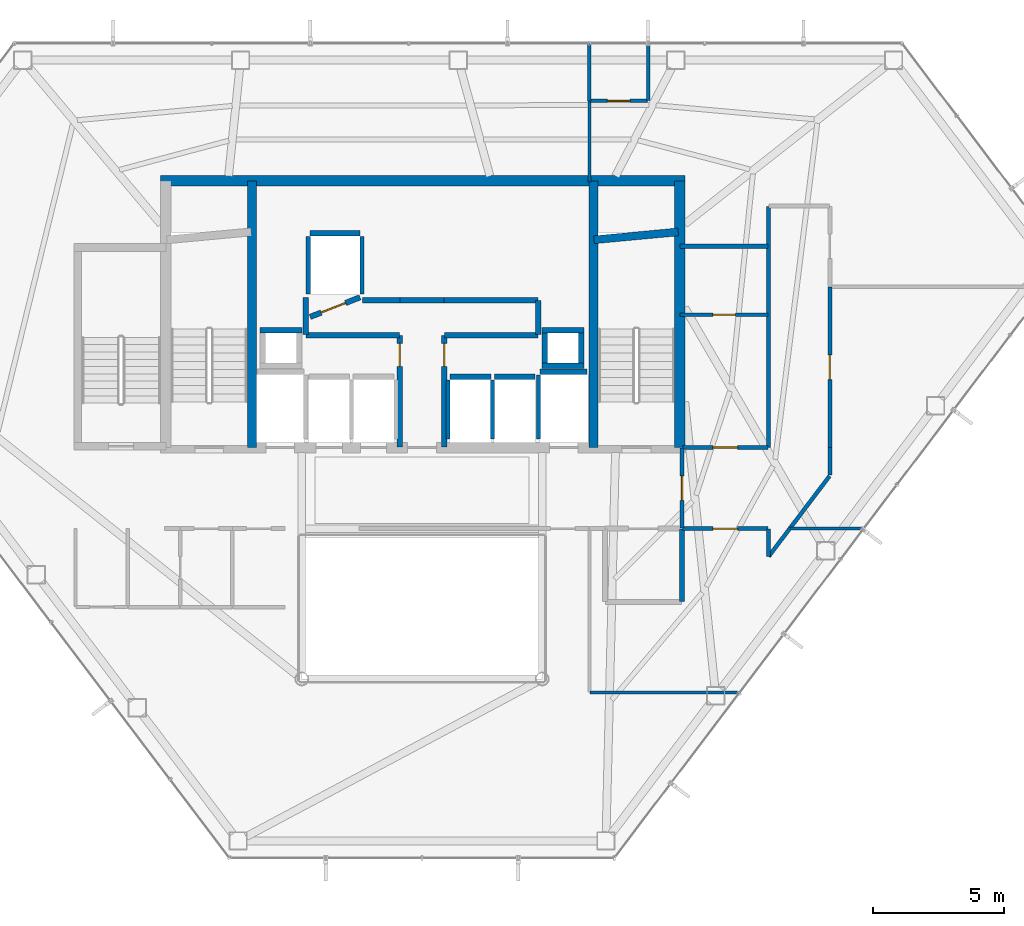
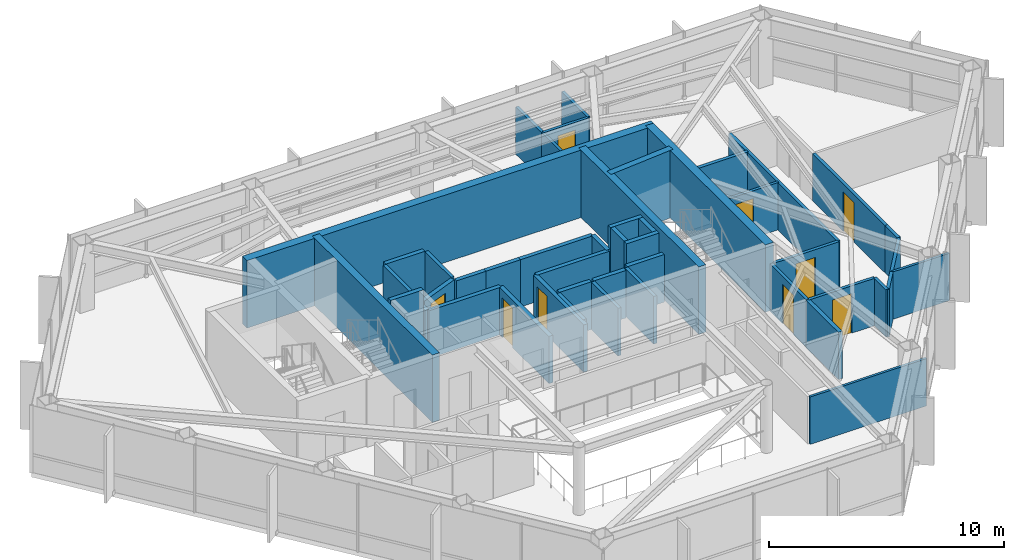
# One storey, part 25 of 27: 47 walls, 9 doors, 9 openings.
"""IFC4 building model written with IfcOpenShell, lengths in metres."""

from ifc_helpers import new_model, si_unit, direction, frame, frame_2d, origin, place, context, subcontext, project, spatial, rectangle, extrude, material, layer, layer_set, type_object, element, fill, save


model = new_model("IFC4")

# Units and contexts
model_context = context("Model", 3, precision=1e-05, world=origin(), true_north=direction((0.0, 1.0)))
body_context = subcontext(model_context, "Body", "Model", "MODEL_VIEW")
ifc_project = project(units=[si_unit("LENGTHUNIT", "METRE"), si_unit("AREAUNIT", "SQUARE_METRE"), si_unit("VOLUMEUNIT", "CUBIC_METRE"), si_unit("PLANEANGLEUNIT", "RADIAN"), si_unit("MASSUNIT", "GRAM", prefix="KILO")], contexts=[model_context])

# Site, building, storey
site_placement = place(None, origin())
site = spatial("IfcSite", under=ifc_project, at=site_placement, CompositionType="ELEMENT")
building_placement = place(site_placement, origin())
building = spatial("IfcBuilding", under=site, at=building_placement, Name="Zarrinselat Tower", CompositionType="ELEMENT")
storey_placement = place(building_placement, frame((0.0, 0.0, 179.52001953125)))
storey = spatial("IfcBuildingStorey", under=building, at=storey_placement, Name="L44", CompositionType="ELEMENT", Elevation=179.52001953125)

# Walls
ifc_material_1 = material(Name="Fire-Rated Gypsum Board Partition", Category="gypsum")
ifc_layer_1 = layer(ifc_material_1, 0.1650390625)
ifc_layer_set_1 = layer_set([ifc_layer_1], Name="Fire-Rated Gypsum Board Partition")
wall_type_1 = type_object("IfcWallType", Name="WAL-PART-DEMISE", PredefinedType="PARTITIONING", material=ifc_layer_set_1)
wall_1_placement = place(storey_placement, frame((48.27490234375, 40.9560546875, 0.0), z_axis=(0.0, 0.0, 1.0), x_axis=(1.0, 0.0, 0.0)))
element("IfcWall", 1, at=wall_1_placement, inside=storey, type_object=wall_type_1, Name="L44 Partition Wall 46", PredefinedType="PARTITIONING", context=body_context, shape_type="SweptSolid", body=[
    extrude(rectangle(XDim=3.360107421875, YDim=0.1650390625, at=frame_2d((1.68017578125, 0.0))), origin(), (0.0, 0.0, 1.0), 2.45703125),
])
ifc_material_2 = material(Name="Concrete C40/50", Category="concrete")
ifc_layer_2 = layer(ifc_material_2, 0.18994140625)
ifc_layer_set_2 = layer_set([ifc_layer_2], Name="Concrete C40/50")
wall_type_2 = type_object("IfcWallType", Name="WAL-PART-EI120", PredefinedType="PARTITIONING", material=ifc_layer_set_2)
wall_2_placement = place(storey_placement, frame((48.35009765625, 27.3701171875, 0.0), z_axis=(0.0, 0.0, 1.0), x_axis=(0.0, 1.0, 0.0)))
element("IfcWall", 2, at=wall_2_placement, inside=storey, type_object=wall_type_2, Name="L44 Partition Wall 19", PredefinedType="PARTITIONING", context=body_context, shape_type="SweptSolid", body=[
    extrude(rectangle(XDim=2.759765625, YDim=0.18994140625, at=frame_2d((1.3798828125, 0.0))), origin(), (0.0, 0.0, 1.0), 2.45703125),
])

# Wall, opening, door
ifc_material_3 = material(Name="Fire-Rated Gypsum Board Partition", Category="gypsum")
ifc_layer_3 = layer(ifc_material_3, 0.14990234375)
ifc_layer_set_3 = layer_set([ifc_layer_3], Name="Fire-Rated Gypsum Board Partition")
wall_type_3 = type_object("IfcWallType", Name="WAL-PART-EI60", PredefinedType="PARTITIONING", material=ifc_layer_set_3)
wall_3_placement = place(storey_placement, frame((48.35009765625, 30.169921875, 0.0), z_axis=(0.0, 0.0, 1.0), x_axis=(0.0, 1.0, 0.0)))
wall_3 = element("IfcWall", 3, at=wall_3_placement, inside=storey, type_object=wall_type_3, Name="L44 Partition Wall 11", PredefinedType="PARTITIONING", context=body_context, shape_type="SweptSolid", body=[
    extrude(rectangle(XDim=3.06005859375, YDim=0.14990234375, at=frame_2d((1.530029296875, 0.0))), origin(), (0.0, 0.0, 1.0), 2.45703125),
])
opening_1_placement = place(wall_3_placement, frame((1.06005859375, 0.0, 0.0)))
opening_1 = element("IfcOpeningElement", 4, at=opening_1_placement, cuts=wall_3, Name="Opening ID-04", PredefinedType="OPENING", context=body_context, shape_type="SweptSolid", body=[
    extrude(rectangle(XDim=0.93994140625, YDim=2.050048828125, at=frame_2d((0.469970703125, 1.02490234375))), frame((0.0, 0.0849609375, 0.0), z_axis=(0.0, -1.0, 0.0), x_axis=(1.0, 0.0, 0.0)), (0.0, 0.0, 1.0), 0.169921875),
])
ifc_material_4 = material(Name="Fire-Rated Gypsum Board Partition")
door_type_1 = type_object("IfcDoorType", Name="DR-INT-FD30-ENT", OperationType="NOTDEFINED", PredefinedType="DOOR", material=ifc_material_4)
door_1_placement = place(opening_1_placement, origin())
door_1 = element("IfcDoor", 5, at=door_1_placement, inside=storey, type_object=door_type_1, Name="L44 Interior Door P11", OperationType="SINGLE_SWING_LEFT", OverallHeight=2.050048828125, OverallWidth=0.93994140625, PredefinedType="DOOR", context=body_context, shape_type="SweptSolid", body=[
    extrude(rectangle(XDim=0.93994140625, YDim=2.050048828125, at=frame_2d((0.469970703125, 1.02490234375))), frame((0.0, 0.02490234375, 0.0), z_axis=(0.0, -1.0, 0.0), x_axis=(1.0, 0.0, 0.0)), (0.0, 0.0, 1.0), 0.050048828125),
])
fill(opening_1, door_1)

# Walls
wall_4_placement = place(storey_placement, frame((51.662109375, 29.0908203125, 0.0), z_axis=(0.0, 0.0, 1.0), x_axis=(0.603847067363, 0.797100193976, 0.0)))
element("IfcWall", 6, at=wall_4_placement, inside=storey, type_object=wall_type_3, Name="L44 Partition Wall 20", PredefinedType="PARTITIONING", context=body_context, shape_type="SweptSolid", body=[
    extrude(rectangle(XDim=1.32763671875, YDim=0.14990234375, at=frame_2d((0.663818359375, 0.0))), origin(), (0.0, 0.0, 1.0), 2.45703125),
])
wall_5_placement = place(storey_placement, frame((51.64990234375, 29.0947265625, 0.0), z_axis=(0.0, 0.0, 1.0), x_axis=(0.0, 1.0, 0.0)))
element("IfcWall", 7, at=wall_5_placement, inside=storey, type_object=wall_type_3, Name="L44 Partition Wall 21", PredefinedType="PARTITIONING", context=body_context, shape_type="SweptSolid", body=[
    extrude(rectangle(XDim=1.03515625, YDim=0.14990234375, at=frame_2d((0.517578125, 0.0))), origin(), (0.0, 0.0, 1.0), 2.45703125),
])

# Wall, opening, door
wall_6_placement = place(storey_placement, frame((48.3701171875, 30.14990234375, 0.0), z_axis=(0.0, 0.0, 1.0), x_axis=(1.0, 0.0, 0.0)))
wall_6 = element("IfcWall", 8, at=wall_6_placement, inside=storey, type_object=wall_type_3, Name="L44 Partition Wall 22", PredefinedType="PARTITIONING", context=body_context, shape_type="SweptSolid", body=[
    extrude(rectangle(XDim=3.259765625, YDim=0.14990234375, at=frame_2d((1.6298828125, 0.0))), origin(), (0.0, 0.0, 1.0), 2.45703125),
])
opening_2_placement = place(wall_6_placement, frame((1.159912109375, 0.0, 0.0)))
opening_2 = element("IfcOpeningElement", 9, at=opening_2_placement, cuts=wall_6, Name="Opening ID-04", PredefinedType="OPENING", context=body_context, shape_type="SweptSolid", body=[
    extrude(rectangle(XDim=0.93994140625, YDim=2.050048828125, at=frame_2d((0.469970703125, 1.02490234375))), frame((0.0, 0.0849609375, 0.0), z_axis=(0.0, -1.0, 0.0), x_axis=(1.0, 0.0, 0.0)), (0.0, 0.0, 1.0), 0.169921875),
])
door_2_placement = place(opening_2_placement, origin())
door_2 = element("IfcDoor", 10, at=door_2_placement, inside=storey, type_object=door_type_1, Name="L44 Interior Door P22", OperationType="SINGLE_SWING_LEFT", OverallHeight=2.050048828125, OverallWidth=0.93994140625, PredefinedType="DOOR", context=body_context, shape_type="SweptSolid", body=[
    extrude(rectangle(XDim=0.93994140625, YDim=2.050048828125, at=frame_2d((0.469970703125, 1.02490234375))), frame((0.0, 0.02490234375, 0.0), z_axis=(0.0, -1.0, 0.0), x_axis=(1.0, 0.0, 0.0)), (0.0, 0.0, 1.0), 0.050048828125),
])
fill(opening_2, door_2)

wall_7_placement = place(storey_placement, frame((54.0, 33.25, 0.0), z_axis=(0.0, 0.0, 1.0), x_axis=(0.0, 1.0, 0.0)))
wall_7 = element("IfcWall", 11, at=wall_7_placement, inside=storey, type_object=wall_type_3, Name="L44 Partition Wall 23", PredefinedType="PARTITIONING", context=body_context, shape_type="SweptSolid", body=[
    extrude(rectangle(XDim=6.151123046875, YDim=0.14990234375, at=frame_2d((3.07568359375, 0.0))), origin(), (0.0, 0.0, 1.0), 2.45703125),
])
opening_3_placement = place(wall_7_placement, frame((2.605712890625, 0.0, 0.0)))
opening_3 = element("IfcOpeningElement", 12, at=opening_3_placement, cuts=wall_7, Name="Opening ID-04", PredefinedType="OPENING", context=body_context, shape_type="SweptSolid", body=[
    extrude(rectangle(XDim=0.93994140625, YDim=2.050048828125, at=frame_2d((0.469970703125, 1.02490234375))), frame((0.0, 0.0849609375, 0.0), z_axis=(0.0, -1.0, 0.0), x_axis=(1.0, 0.0, 0.0)), (0.0, 0.0, 1.0), 0.169921875),
])
door_3_placement = place(opening_3_placement, origin())
door_3 = element("IfcDoor", 13, at=door_3_placement, inside=storey, type_object=door_type_1, Name="L44 Interior Door P23", OperationType="SINGLE_SWING_RIGHT", OverallHeight=2.050048828125, OverallWidth=0.93994140625, PredefinedType="DOOR", context=body_context, shape_type="SweptSolid", body=[
    extrude(rectangle(XDim=0.93994140625, YDim=2.050048828125, at=frame_2d((0.469970703125, 1.02490234375))), frame((0.0, 0.02490234375, 0.0), z_axis=(0.0, -1.0, 0.0), x_axis=(1.0, 0.0, 0.0)), (0.0, 0.0, 1.0), 0.050048828125),
])
fill(opening_3, door_3)

# Walls
wall_8_placement = place(storey_placement, frame((54.0, 32.19677734375, 0.0), z_axis=(0.0, 0.0, 1.0), x_axis=(0.0, 1.0, 0.0)))
element("IfcWall", 14, at=wall_8_placement, inside=storey, type_object=wall_type_3, Name="L44 Partition Wall 24", PredefinedType="PARTITIONING", context=body_context, shape_type="SweptSolid", body=[
    extrude(rectangle(XDim=1.05322265625, YDim=0.14990234375, at=frame_2d((0.526611328125, 0.0))), origin(), (0.0, 0.0, 1.0), 2.45703125),
])
wall_9_placement = place(storey_placement, frame((52.467529296875, 30.154052734375, 0.0), z_axis=(0.0, 0.0, 1.0), x_axis=(0.603840884766, 0.797104877594, 0.0)))
element("IfcWall", 15, at=wall_9_placement, inside=storey, type_object=wall_type_3, Name="L44 Partition Wall 25", PredefinedType="PARTITIONING", context=body_context, shape_type="SweptSolid", body=[
    extrude(rectangle(XDim=2.517578125, YDim=0.14990234375, at=frame_2d((1.2587890625, 0.0))), origin(), (0.0, 0.0, 1.0), 2.45703125),
])
wall_10_placement = place(storey_placement, frame((51.64990234375, 33.25, 0.0), z_axis=(0.0, 0.0, 1.0), x_axis=(0.0, 1.0, 0.0)))
element("IfcWall", 16, at=wall_10_placement, inside=storey, type_object=wall_type_3, Name="L44 Partition Wall 26", PredefinedType="PARTITIONING", context=body_context, shape_type="SweptSolid", body=[
    extrude(rectangle(XDim=9.22998046875, YDim=0.14990234375, at=frame_2d((4.614990234375, 0.0))), origin(), (0.0, 0.0, 1.0), 2.45703125),
])

# Wall, opening, door
wall_11_placement = place(storey_placement, frame((48.364990234375, 33.25, 0.0), z_axis=(0.0, 0.0, 1.0), x_axis=(1.0, 0.0, 0.0)))
wall_11 = element("IfcWall", 17, at=wall_11_placement, inside=storey, type_object=wall_type_3, Name="L44 Partition Wall 29", PredefinedType="PARTITIONING", context=body_context, shape_type="SweptSolid", body=[
    extrude(rectangle(XDim=3.27001953125, YDim=0.14990234375, at=frame_2d((1.635009765625, 0.0))), origin(), (0.0, 0.0, 1.0), 2.45703125),
])
opening_4_placement = place(wall_11_placement, frame((1.1650390625, 0.0, 0.0)))
opening_4 = element("IfcOpeningElement", 18, at=opening_4_placement, cuts=wall_11, Name="Opening ID-04", PredefinedType="OPENING", context=body_context, shape_type="SweptSolid", body=[
    extrude(rectangle(XDim=0.93994140625, YDim=2.050048828125, at=frame_2d((0.469970703125, 1.02490234375))), frame((0.0, 0.0849609375, 0.0), z_axis=(0.0, -1.0, 0.0), x_axis=(1.0, 0.0, 0.0)), (0.0, 0.0, 1.0), 0.169921875),
])
door_4_placement = place(opening_4_placement, origin())
door_4 = element("IfcDoor", 19, at=door_4_placement, inside=storey, type_object=door_type_1, Name="L44 Interior Door P29", OperationType="SINGLE_SWING_RIGHT", OverallHeight=2.050048828125, OverallWidth=0.93994140625, PredefinedType="DOOR", context=body_context, shape_type="SweptSolid", body=[
    extrude(rectangle(XDim=0.93994140625, YDim=2.050048828125, at=frame_2d((0.469970703125, 1.02490234375))), frame((0.0, 0.02490234375, 0.0), z_axis=(0.0, -1.0, 0.0), x_axis=(1.0, 0.0, 0.0)), (0.0, 0.0, 1.0), 0.050048828125),
])
fill(opening_4, door_4)

ifc_material_5 = material(Name="Concrete C40/50", Category="concrete")
ifc_layer_4 = layer(ifc_material_5, 0.199951171875)
ifc_layer_set_4 = layer_set([ifc_layer_4], Name="Concrete C40/50")
wall_type_4 = type_object("IfcWallType", Name="WAL-PART-PLANT", PredefinedType="PARTITIONING", material=ifc_layer_set_4)
wall_12_placement = place(storey_placement, frame((37.550048828125, 33.264892578125, 0.0), z_axis=(0.0, 0.0, 1.0), x_axis=(0.0, 1.0, 0.0)))
wall_12 = element("IfcWall", 20, at=wall_12_placement, inside=storey, type_object=wall_type_4, Name="L44 Partition Wall 1", PredefinedType="PARTITIONING", context=body_context, shape_type="SweptSolid", body=[
    extrude(rectangle(XDim=4.26513671875, YDim=0.199951171875, at=frame_2d((2.132568359375, 0.0))), origin(), (0.0, 0.0, 1.0), 2.45703125),
])
opening_5_placement = place(wall_12_placement, frame((3.092529296875, 0.0, 0.0)))
opening_5 = element("IfcOpeningElement", 21, at=opening_5_placement, cuts=wall_12, Name="Opening ID-03", PredefinedType="OPENING", context=body_context, shape_type="SweptSolid", body=[
    extrude(rectangle(XDim=0.8798828125, YDim=2.050048828125, at=frame_2d((0.43994140625, 1.02490234375))), frame((0.0, 0.10986328125, 0.0), z_axis=(0.0, -1.0, 0.0), x_axis=(1.0, 0.0, 0.0)), (0.0, 0.0, 1.0), 0.219970703125),
])
ifc_material_6 = material(Name="Steel S355J2", Category="steel")
door_type_2 = type_object("IfcDoorType", Name="DR-INT-FD60-S", OperationType="NOTDEFINED", PredefinedType="DOOR", material=ifc_material_6)
door_5_placement = place(opening_5_placement, origin())
door_5 = element("IfcDoor", 22, at=door_5_placement, inside=storey, type_object=door_type_2, Name="L44 Interior Door P1", OperationType="SINGLE_SWING_RIGHT", OverallHeight=2.050048828125, OverallWidth=0.8798828125, PredefinedType="DOOR", context=body_context, shape_type="SweptSolid", body=[
    extrude(rectangle(XDim=0.8798828125, YDim=2.050048828125, at=frame_2d((0.43994140625, 1.02490234375))), frame((0.0, 0.02490234375, 0.0), z_axis=(0.0, -1.0, 0.0), x_axis=(1.0, 0.0, 0.0)), (0.0, 0.0, 1.0), 0.050048828125),
])
fill(opening_5, door_5)

# Walls
wall_13_placement = place(storey_placement, frame((33.969970703125, 37.550048828125, 0.0), z_axis=(0.0, 0.0, 1.0), x_axis=(1.0, 0.0, 0.0)))
element("IfcWall", 23, at=wall_13_placement, inside=storey, type_object=wall_type_4, Name="L44 Partition Wall 2", PredefinedType="PARTITIONING", context=body_context, shape_type="SweptSolid", body=[
    extrude(rectangle(XDim=3.56005859375, YDim=0.199951171875, at=frame_2d((1.780029296875, 0.0))), origin(), (0.0, 0.0, 1.0), 2.45703125),
])
wall_14_placement = place(storey_placement, frame((33.949951171875, 37.570068359375, 0.0), z_axis=(0.0, 0.0, 1.0), x_axis=(0.0, 1.0, 0.0)))
element("IfcWall", 24, at=wall_14_placement, inside=storey, type_object=wall_type_4, Name="L44 Partition Wall 3", PredefinedType="PARTITIONING", context=body_context, shape_type="SweptSolid", body=[
    extrude(rectangle(XDim=1.4150390625, YDim=0.199951171875, at=frame_2d((0.70751953125, 0.0))), origin(), (0.0, 0.0, 1.0), 2.45703125),
])
wall_15_placement = place(storey_placement, frame((36.114990234375, 38.889892578125, 0.0), z_axis=(0.0, 0.0, 1.0), x_axis=(1.0, 0.0, 0.0)))
element("IfcWall", 25, at=wall_15_placement, inside=storey, type_object=wall_type_4, Name="L44 Partition Wall 4", PredefinedType="PARTITIONING", context=body_context, shape_type="SweptSolid", body=[
    extrude(rectangle(XDim=1.43505859375, YDim=0.199951171875, at=frame_2d((0.717529296875, 0.0))), origin(), (0.0, 0.0, 1.0), 2.45703125),
])
wall_16_placement = place(storey_placement, frame((37.550048828125, 38.889892578125, 0.0), z_axis=(0.0, 0.0, 1.0), x_axis=(1.0, 0.0, 0.0)))
element("IfcWall", 26, at=wall_16_placement, inside=storey, type_object=wall_type_4, Name="L44 Partition Wall 5", PredefinedType="PARTITIONING", context=body_context, shape_type="SweptSolid", body=[
    extrude(rectangle(XDim=1.699951171875, YDim=0.199951171875, at=frame_2d((0.85009765625, 0.0))), origin(), (0.0, 0.0, 1.0), 2.45703125),
])
wall_17_placement = place(storey_placement, frame((39.25, 38.889892578125, 0.0), z_axis=(0.0, 0.0, 1.0), x_axis=(1.0, 0.0, 0.0)))
element("IfcWall", 27, at=wall_17_placement, inside=storey, type_object=wall_type_4, Name="L44 Partition Wall 6", PredefinedType="PARTITIONING", context=body_context, shape_type="SweptSolid", body=[
    extrude(rectangle(XDim=3.580078125, YDim=0.199951171875, at=frame_2d((1.7900390625, 0.0))), origin(), (0.0, 0.0, 1.0), 2.45703125),
])
wall_18_placement = place(storey_placement, frame((42.85009765625, 37.570068359375, 0.0), z_axis=(0.0, 0.0, 1.0), x_axis=(0.0, 1.0, 0.0)))
element("IfcWall", 28, at=wall_18_placement, inside=storey, type_object=wall_type_4, Name="L44 Partition Wall 7", PredefinedType="PARTITIONING", context=body_context, shape_type="SweptSolid", body=[
    extrude(rectangle(XDim=1.300048828125, YDim=0.199951171875, at=frame_2d((0.64990234375, 0.0))), origin(), (0.0, 0.0, 1.0), 2.45703125),
])
wall_19_placement = place(storey_placement, frame((39.27001953125, 37.550048828125, 0.0), z_axis=(0.0, 0.0, 1.0), x_axis=(1.0, 0.0, 0.0)))
element("IfcWall", 29, at=wall_19_placement, inside=storey, type_object=wall_type_4, Name="L44 Partition Wall 8", PredefinedType="PARTITIONING", context=body_context, shape_type="SweptSolid", body=[
    extrude(rectangle(XDim=3.56005859375, YDim=0.199951171875, at=frame_2d((1.780029296875, 0.0))), origin(), (0.0, 0.0, 1.0), 2.45703125),
])

# Wall, opening, door
wall_20_placement = place(storey_placement, frame((39.25, 33.264892578125, 0.0), z_axis=(0.0, 0.0, 1.0), x_axis=(0.0, 1.0, 0.0)))
wall_20 = element("IfcWall", 30, at=wall_20_placement, inside=storey, type_object=wall_type_4, Name="L44 Partition Wall 9", PredefinedType="PARTITIONING", context=body_context, shape_type="SweptSolid", body=[
    extrude(rectangle(XDim=4.26513671875, YDim=0.199951171875, at=frame_2d((2.132568359375, 0.0))), origin(), (0.0, 0.0, 1.0), 2.45703125),
])
opening_6_placement = place(wall_20_placement, frame((3.092529296875, 0.0, 0.0)))
opening_6 = element("IfcOpeningElement", 31, at=opening_6_placement, cuts=wall_20, Name="Opening ID-03", PredefinedType="OPENING", context=body_context, shape_type="SweptSolid", body=[
    extrude(rectangle(XDim=0.8798828125, YDim=2.050048828125, at=frame_2d((0.43994140625, 1.02490234375))), frame((0.0, 0.10986328125, 0.0), z_axis=(0.0, -1.0, 0.0), x_axis=(1.0, 0.0, 0.0)), (0.0, 0.0, 1.0), 0.219970703125),
])
door_6_placement = place(opening_6_placement, origin())
door_6 = element("IfcDoor", 32, at=door_6_placement, inside=storey, type_object=door_type_2, Name="L44 Interior Door P9", OperationType="SINGLE_SWING_LEFT", OverallHeight=2.050048828125, OverallWidth=0.8798828125, PredefinedType="DOOR", context=body_context, shape_type="SweptSolid", body=[
    extrude(rectangle(XDim=0.8798828125, YDim=2.050048828125, at=frame_2d((0.43994140625, 1.02490234375))), frame((0.0, 0.02490234375, 0.0), z_axis=(0.0, -1.0, 0.0), x_axis=(1.0, 0.0, 0.0)), (0.0, 0.0, 1.0), 0.050048828125),
])
fill(opening_6, door_6)

# Walls
ifc_material_7 = material(Name="Fire-Rated Gypsum Board Partition", Category="gypsum")
ifc_layer_5 = layer(ifc_material_7, 0.1201171875)
ifc_layer_set_5 = layer_set([ifc_layer_5], Name="Fire-Rated Gypsum Board Partition")
wall_type_5 = type_object("IfcWallType", Name="WAL-PART-STD", PredefinedType="PARTITIONING", material=ifc_layer_set_5)
wall_21_placement = place(storey_placement, frame((44.820068359375, 23.882568359375, 0.0), z_axis=(0.0, 0.0, 1.0), x_axis=(1.0, 0.0, 0.0)))
element("IfcWall", 33, at=wall_21_placement, inside=storey, type_object=wall_type_5, Name="L44 Partition Wall 39", PredefinedType="PARTITIONING", context=body_context, shape_type="SweptSolid", body=[
    extrude(rectangle(XDim=5.716796875, YDim=0.1201171875, at=frame_2d((2.8583984375, 0.0))), origin(), (0.0, 0.0, 1.0), 2.45703125),
])
wall_22_placement = place(storey_placement, frame((44.800048828125, 43.4150390625, 0.0), z_axis=(0.0, 0.0, 1.0), x_axis=(0.0, 1.0, 0.0)))
element("IfcWall", 34, at=wall_22_placement, inside=storey, type_object=wall_type_5, Name="L44 Partition Wall 40", PredefinedType="PARTITIONING", context=body_context, shape_type="SweptSolid", body=[
    extrude(rectangle(XDim=3.092041015625, YDim=0.1201171875, at=frame_2d((1.5458984375, 0.0))), origin(), (0.0, 0.0, 1.0), 2.45703125),
])
wall_23_placement = place(storey_placement, frame((52.484619140625, 30.14990234375, 0.0), z_axis=(0.0, 0.0, 1.0), x_axis=(1.0, 0.0, 0.0)))
element("IfcWall", 35, at=wall_23_placement, inside=storey, type_object=wall_type_5, Name="L44 Partition Wall 42", PredefinedType="PARTITIONING", context=body_context, shape_type="SweptSolid", body=[
    extrude(rectangle(XDim=2.80029296875, YDim=0.1201171875, at=frame_2d((1.400146484375, 0.0))), origin(), (0.0, 0.0, 1.0), 2.45703125),
])
ifc_material_8 = material(Name="Fire-Rated Gypsum Board Partition", Category="gypsum")
ifc_layer_6 = layer(ifc_material_8, 0.135009765625)
ifc_layer_set_6 = layer_set([ifc_layer_6], Name="Fire-Rated Gypsum Board Partition")
wall_type_6 = type_object("IfcWallType", Name="WAL-PART-WET", PredefinedType="PARTITIONING", material=ifc_layer_set_6)
wall_24_placement = place(storey_placement, frame((44.800048828125, 46.51708984375, 0.0), z_axis=(0.0, 0.0, 1.0), x_axis=(0.0, 1.0, 0.0)))
element("IfcWall", 36, at=wall_24_placement, inside=storey, type_object=wall_type_6, Name="L44 Partition Wall 41", PredefinedType="PARTITIONING", context=body_context, shape_type="SweptSolid", body=[
    extrude(rectangle(XDim=2.190185546875, YDim=0.135009765625, at=frame_2d((1.09521484375, 0.0))), origin(), (0.0, 0.0, 1.0), 2.45703125),
])

# Wall, opening, door
wall_25_placement = place(storey_placement, frame((44.820068359375, 46.51220703125, 0.0), z_axis=(0.0, 0.0, 1.0), x_axis=(1.0, 0.0, 0.0)))
wall_25 = element("IfcWall", 37, at=wall_25_placement, inside=storey, type_object=wall_type_6, Name="L44 Partition Wall 44", PredefinedType="PARTITIONING", context=body_context, shape_type="SweptSolid", body=[
    extrude(rectangle(XDim=2.2099609375, YDim=0.135009765625, at=frame_2d((1.10498046875, 0.0))), origin(), (0.0, 0.0, 1.0), 2.45703125),
])
opening_7_placement = place(wall_25_placement, frame((0.675048828125, 0.0, 0.0)))
opening_7 = element("IfcOpeningElement", 38, at=opening_7_placement, cuts=wall_25, Name="Opening ID-06", PredefinedType="OPENING", context=body_context, shape_type="SweptSolid", body=[
    extrude(rectangle(XDim=0.860107421875, YDim=2.050048828125, at=frame_2d((0.43017578125, 1.02490234375))), frame((0.0, 0.077392578125, 0.0), z_axis=(0.0, -1.0, 0.0), x_axis=(1.0, 0.0, 0.0)), (0.0, 0.0, 1.0), 0.155029296875),
])
ifc_material_9 = material(Name="Extruded Aluminium Alloy EN AW-6063 T6", Category="aluminium")
door_type_3 = type_object("IfcDoorType", Name="DR-INT-WET-900", OperationType="NOTDEFINED", PredefinedType="DOOR", material=ifc_material_9)
door_7_placement = place(opening_7_placement, origin())
door_7 = element("IfcDoor", 39, at=door_7_placement, inside=storey, type_object=door_type_3, Name="L44 Interior Door P44", OperationType="SINGLE_SWING_LEFT", OverallHeight=2.050048828125, OverallWidth=0.860107421875, PredefinedType="DOOR", context=body_context, shape_type="SweptSolid", body=[
    extrude(rectangle(XDim=0.860107421875, YDim=2.050048828125, at=frame_2d((0.43017578125, 1.02490234375))), frame((0.0, 0.02490234375, 0.0), z_axis=(0.0, -1.0, 0.0), x_axis=(1.0, 0.0, 0.0)), (0.0, 0.0, 1.0), 0.050048828125),
])
fill(opening_7, door_7)

# Wall
wall_26_placement = place(storey_placement, frame((47.050048828125, 46.5322265625, 0.0), z_axis=(0.0, 0.0, 1.0), x_axis=(0.0, 1.0, 0.0)))
element("IfcWall", 40, at=wall_26_placement, inside=storey, type_object=wall_type_6, Name="L44 Partition Wall 45", PredefinedType="PARTITIONING", context=body_context, shape_type="SweptSolid", body=[
    extrude(rectangle(XDim=2.175048828125, YDim=0.135009765625, at=frame_2d((1.08740234375, 0.0))), origin(), (0.0, 0.0, 1.0), 2.45703125),
])

# Wall, opening, door
wall_27_placement = place(storey_placement, frame((48.27490234375, 38.3359375, 0.0), z_axis=(0.0, 0.0, 1.0), x_axis=(1.0, 0.0, 0.0)))
wall_27 = element("IfcWall", 41, at=wall_27_placement, inside=storey, type_object=wall_type_6, Name="L44 Partition Wall 47", PredefinedType="PARTITIONING", context=body_context, shape_type="SweptSolid", body=[
    extrude(rectangle(XDim=3.360107421875, YDim=0.135009765625, at=frame_2d((1.68017578125, 0.0))), origin(), (0.0, 0.0, 1.0), 2.45703125),
])
opening_8_placement = place(wall_27_placement, frame((1.25, 0.0, 0.0)))
opening_8 = element("IfcOpeningElement", 42, at=opening_8_placement, cuts=wall_27, Name="Opening ID-06", PredefinedType="OPENING", context=body_context, shape_type="SweptSolid", body=[
    extrude(rectangle(XDim=0.860107421875, YDim=2.050048828125, at=frame_2d((0.43017578125, 1.02490234375))), frame((0.0, 0.077392578125, 0.0), z_axis=(0.0, -1.0, 0.0), x_axis=(1.0, 0.0, 0.0)), (0.0, 0.0, 1.0), 0.155029296875),
])
door_8_placement = place(opening_8_placement, origin())
door_8 = element("IfcDoor", 43, at=door_8_placement, inside=storey, type_object=door_type_3, Name="L44 Interior Door P47", OperationType="SINGLE_SWING_RIGHT", OverallHeight=2.050048828125, OverallWidth=0.860107421875, PredefinedType="DOOR", context=body_context, shape_type="SweptSolid", body=[
    extrude(rectangle(XDim=0.860107421875, YDim=2.050048828125, at=frame_2d((0.43017578125, 1.02490234375))), frame((0.0, 0.02490234375, 0.0), z_axis=(0.0, -1.0, 0.0), x_axis=(1.0, 0.0, 0.0)), (0.0, 0.0, 1.0), 0.050048828125),
])
fill(opening_8, door_8)

# Walls
ifc_material_10 = material(Name="Concrete C40/50", Category="concrete")
ifc_layer_7 = layer(ifc_material_10, 0.2099609375)
ifc_layer_set_7 = layer_set([ifc_layer_7], Name="Concrete C40/50")
wall_type_7 = type_object("IfcWallType", Name="WAL-SHAFT-210", PredefinedType="SOLIDWALL", material=ifc_layer_set_7)
wall_28_placement = place(storey_placement, frame((42.919921875, 36.155029296875, 0.0), z_axis=(0.0, 0.0, 1.0), x_axis=(1.0, 0.0, 0.0)))
element("IfcWall", 44, at=wall_28_placement, inside=storey, type_object=wall_type_7, Name="L44 Lift FFL2 North Shaft Wall", PredefinedType="SOLIDWALL", context=body_context, shape_type="SweptSolid", body=[
    extrude(rectangle(XDim=1.800048828125, YDim=0.2099609375, at=frame_2d((0.89990234375, 0.0))), origin(), (0.0, 0.0, 1.0), 2.471923828125),
])
wall_29_placement = place(storey_placement, frame((42.85009765625, 33.580078125, 0.0), z_axis=(0.0, 0.0, 1.0), x_axis=(0.0, 1.0, 0.0)))
element("IfcWall", 45, at=wall_29_placement, inside=storey, type_object=wall_type_7, Name="L44 Lift FFL2 W Shaft Wall", PredefinedType="SOLIDWALL", context=body_context, shape_type="SweptSolid", body=[
    extrude(rectangle(XDim=2.449951171875, YDim=0.159912109375, at=frame_2d((1.22509765625, 0.0))), origin(), (0.0, 0.0, 1.0), 2.471923828125),
])

# Wall, opening, door
wall_30_placement = place(storey_placement, frame((34.1201171875, 38.25, 0.0), z_axis=(0.0, 0.0, 1.0), x_axis=(0.930804993012, 0.36551616241, 0.0)))
wall_30 = element("IfcWall", 46, at=wall_30_placement, inside=storey, type_object=wall_type_7, Name="L44 Lift PL7 Front Shaft Wall", PredefinedType="SOLIDWALL", context=body_context, shape_type="SweptSolid", body=[
    extrude(rectangle(XDim=2.052001953125, YDim=0.2099609375, at=frame_2d((1.02587890625, 0.0))), origin(), (0.0, 0.0, 1.0), 2.471923828125),
])
opening_9_placement = place(wall_30_placement, frame((0.455078125, 0.0, 0.0)))
opening_9 = element("IfcOpeningElement", 47, at=opening_9_placement, cuts=wall_30, Name="Opening LD-PL7", PredefinedType="OPENING", context=body_context, shape_type="SweptSolid", body=[
    extrude(rectangle(XDim=1.0, YDim=2.10009765625, at=frame_2d((0.5, 1.050048828125))), frame((0.0, 0.114990234375, 0.0), z_axis=(0.0, -1.0, 0.0), x_axis=(1.0, 0.0, 0.0)), (0.0, 0.0, 1.0), 0.22998046875),
])
ifc_material_11 = material(Name="Steel S355J2", Category="steel")
door_type_4 = type_object("IfcDoorType", Name="DR-LIFT-PS-1000", OperationType="NOTDEFINED", PredefinedType="DOOR", material=ifc_material_11)
door_9_placement = place(opening_9_placement, origin())
door_9 = element("IfcDoor", 48, at=door_9_placement, inside=storey, type_object=door_type_4, Name="L44 Lift PL7 Sliding Landing Door", OperationType="SLIDING_TO_LEFT", OverallHeight=2.10009765625, OverallWidth=1.0, PredefinedType="DOOR", context=body_context, shape_type="SweptSolid", body=[
    extrude(rectangle(XDim=1.0, YDim=2.10009765625, at=frame_2d((0.5, 1.050048828125))), frame((0.0, 0.02490234375, 0.0), z_axis=(0.0, -1.0, 0.0), x_axis=(1.0, 0.0, 0.0)), (0.0, 0.0, 1.0), 0.050048828125),
])
fill(opening_9, door_9)

# Walls
wall_31_placement = place(storey_placement, frame((34.1201171875, 41.455078125, 0.0), z_axis=(0.0, 0.0, 1.0), x_axis=(1.0, 0.0, 0.0)))
element("IfcWall", 49, at=wall_31_placement, inside=storey, type_object=wall_type_7, Name="L44 Lift PL7 Rear Shaft Wall", PredefinedType="SOLIDWALL", context=body_context, shape_type="SweptSolid", body=[
    extrude(rectangle(XDim=1.909912109375, YDim=0.2099609375, at=frame_2d((0.955078125, 0.0))), origin(), (0.0, 0.0, 1.0), 2.471923828125),
])
for number, where, z_axis, x_axis, name in (
    (50, (34.050048828125, 39.1201171875, 0.0), (0.0, 0.0, 1.0), (0.0, 1.0, 0.0), "L44 Lift PL7 W Shaft Wall"),
    (51, (36.10009765625, 39.1201171875, 0.0), (0.0, 0.0, 1.0), (0.0, 1.0, 0.0), "L44 Lift PL7 E Shaft Wall"),
):
    element("IfcWall", number, at=place(storey_placement, frame(where, z_axis=z_axis, x_axis=x_axis)), inside=storey, type_object=wall_type_7, Name=name, PredefinedType="SOLIDWALL", context=body_context, shape_type="SweptSolid", body=[
        extrude(rectangle(XDim=2.2099609375, YDim=0.159912109375, at=frame_2d((1.10498046875, 0.0))), origin(), (0.0, 0.0, 1.0), 2.471923828125),
    ])
wall_32_placement = place(storey_placement, frame((39.469970703125, 35.955078125, 0.0), z_axis=(0.0, 0.0, 1.0), x_axis=(1.0, 0.0, 0.0)))
element("IfcWall", 52, at=wall_32_placement, inside=storey, type_object=wall_type_7, Name="L44 Lift PL8 North Shaft Wall", PredefinedType="SOLIDWALL", context=body_context, shape_type="SweptSolid", body=[
    extrude(rectangle(XDim=1.56005859375, YDim=0.2099609375, at=frame_2d((0.780029296875, 0.0))), origin(), (0.0, 0.0, 1.0), 2.471923828125),
])
for number, where, z_axis, x_axis, name in (
    (53, (39.39990234375, 33.580078125, 0.0), (0.0, 0.0, 1.0), (0.0, 1.0, 0.0), "L44 Lift PL8 W Shaft Wall"),
    (54, (41.10009765625, 33.580078125, 0.0), (0.0, 0.0, 1.0), (0.0, 1.0, 0.0), "L44 Lift PL8 E Shaft Wall"),
):
    element("IfcWall", number, at=place(storey_placement, frame(where, z_axis=z_axis, x_axis=x_axis)), inside=storey, type_object=wall_type_7, Name=name, PredefinedType="SOLIDWALL", context=body_context, shape_type="SweptSolid", body=[
        extrude(rectangle(XDim=2.25, YDim=0.159912109375, at=frame_2d((1.125, 0.0))), origin(), (0.0, 0.0, 1.0), 2.471923828125),
    ])
wall_33_placement = place(storey_placement, frame((41.169921875, 35.955078125, 0.0), z_axis=(0.0, 0.0, 1.0), x_axis=(1.0, 0.0, 0.0)))
element("IfcWall", 55, at=wall_33_placement, inside=storey, type_object=wall_type_7, Name="L44 Lift PL9 North Shaft Wall", PredefinedType="SOLIDWALL", context=body_context, shape_type="SweptSolid", body=[
    extrude(rectangle(XDim=1.56005859375, YDim=0.2099609375, at=frame_2d((0.780029296875, 0.0))), origin(), (0.0, 0.0, 1.0), 2.471923828125),
])
for number, where, z_axis, x_axis, name in (
    (56, (32.2099609375, 37.7451171875, 0.0), (0.0, 0.0, 1.0), (1.0, 0.0, 0.0), "L44 Core Riser RSR-W N Shaft Wall"),
    (57, (42.989990234375, 36.375, 0.0), (0.0, 0.0, 1.0), (1.0, 0.0, 0.0), "L44 Core Riser RSR-E S Shaft Wall"),
    (58, (42.989990234375, 37.7451171875, 0.0), (0.0, 0.0, 1.0), (1.0, 0.0, 0.0), "L44 Core Riser RSR-E N Shaft Wall"),
):
    element("IfcWall", number, at=place(storey_placement, frame(where, z_axis=z_axis, x_axis=x_axis)), inside=storey, type_object=wall_type_7, Name=name, PredefinedType="SOLIDWALL", context=body_context, shape_type="SweptSolid", body=[
        extrude(rectangle(XDim=1.60009765625, YDim=0.2099609375, at=frame_2d((0.800048828125, 0.0))), origin(), (0.0, 0.0, 1.0), 3.5),
    ])
for number, where, z_axis, x_axis, name in (
    (59, (43.094970703125, 36.485107421875, 0.0), (0.0, 0.0, 1.0), (0.0, 1.0, 0.0), "L44 Core Riser RSR-E W Shaft Wall"),
    (60, (44.485107421875, 36.485107421875, 0.0), (0.0, 0.0, 1.0), (0.0, 1.0, 0.0), "L44 Core Riser RSR-E E Shaft Wall"),
):
    element("IfcWall", number, at=place(storey_placement, frame(where, z_axis=z_axis, x_axis=x_axis)), inside=storey, type_object=wall_type_7, Name=name, PredefinedType="SOLIDWALL", context=body_context, shape_type="SweptSolid", body=[
        extrude(rectangle(XDim=1.14990234375, YDim=0.2099609375, at=frame_2d((0.574951171875, 0.0))), origin(), (0.0, 0.0, 1.0), 3.5),
    ])
ifc_material_12 = material(Name="Concrete C40/50", Category="concrete")
ifc_layer_8 = layer(ifc_material_12, 0.300048828125)
ifc_layer_set_8 = layer_set([ifc_layer_8], Name="Concrete C40/50")
wall_type_8 = type_object("IfcWallType", Name="WAL-SHEAR-300", PredefinedType="SHEAR", material=ifc_layer_set_8)
wall_34_placement = place(storey_placement, frame((44.97998046875, 41.199951171875, 0.0), z_axis=(0.0, 0.0, 1.0), x_axis=(0.995686468965, 0.09278176286, 0.0)))
element("IfcWall", 61, at=wall_34_placement, inside=storey, type_object=wall_type_8, Name="L44 Stair 2 North Shaft Wall", PredefinedType="SHEAR", context=body_context, shape_type="SweptSolid", body=[
    extrude(rectangle(XDim=3.23388671875, YDim=0.300048828125, at=frame_2d((1.616943359375, 0.0))), origin(), (0.0, 0.0, 1.0), 3.5),
])
ifc_material_13 = material(Name="Concrete C50/60", Category="concrete")
ifc_layer_9 = layer(ifc_material_13, 0.35009765625)
ifc_layer_set_9 = layer_set([ifc_layer_9], Name="Concrete C50/60")
wall_type_9 = type_object("IfcWallType", Name="WAL-SHEAR-350", PredefinedType="SHEAR", material=ifc_layer_set_9)
for number, where, z_axis, x_axis, name in (
    (62, (31.89501953125, 33.25, 0.0), (0.0, 0.0, 1.0), (0.0, 1.0, 0.0), "L44 Core Shear Wall ST1E"),
    (63, (44.965087890625, 33.25, 0.0), (0.0, 0.0, 1.0), (0.0, 1.0, 0.0), "L44 Core Shear Wall ST2W"),
):
    element("IfcWall", number, at=place(storey_placement, frame(where, z_axis=z_axis, x_axis=x_axis)), inside=storey, type_object=wall_type_9, Name=name, PredefinedType="SHEAR", context=body_context, shape_type="SweptSolid", body=[
        extrude(rectangle(XDim=10.199951171875, YDim=0.35009765625, at=frame_2d((5.10009765625, 0.0))), origin(), (0.0, 0.0, 1.0), 3.5),
    ])
ifc_material_14 = material(Name="Concrete C60/75", Category="concrete")
ifc_layer_10 = layer(ifc_material_14, 0.39990234375)
ifc_layer_set_10 = layer_set([ifc_layer_10], Name="Concrete C60/75")
wall_type_10 = type_object("IfcWallType", Name="WAL-SHEAR-400", PredefinedType="SHEAR", material=ifc_layer_set_10)
wall_35_placement = place(storey_placement, frame((28.39990234375, 43.449951171875, 0.0), z_axis=(0.0, 0.0, 1.0), x_axis=(1.0, 0.0, 0.0)))
element("IfcWall", 64, at=wall_35_placement, inside=storey, type_object=wall_type_10, Name="L44 North Core Shear Wall", PredefinedType="SHEAR", context=body_context, shape_type="SweptSolid", body=[
    extrude(rectangle(XDim=20.06005859375, YDim=0.39990234375, at=frame_2d((10.030029296875, 0.0))), origin(), (0.0, 0.0, 1.0), 3.5),
])
wall_36_placement = place(storey_placement, frame((48.260009765625, 33.25, 0.0), z_axis=(0.0, 0.0, 1.0), x_axis=(0.0, 1.0, 0.0)))
element("IfcWall", 65, at=wall_36_placement, inside=storey, type_object=wall_type_10, Name="L44 Core Shear Wall E", PredefinedType="SHEAR", context=body_context, shape_type="SweptSolid", body=[
    extrude(rectangle(XDim=10.199951171875, YDim=0.39990234375, at=frame_2d((5.10009765625, 0.0))), origin(), (0.0, 0.0, 1.0), 3.5),
])

save(model, "model.ifc")
